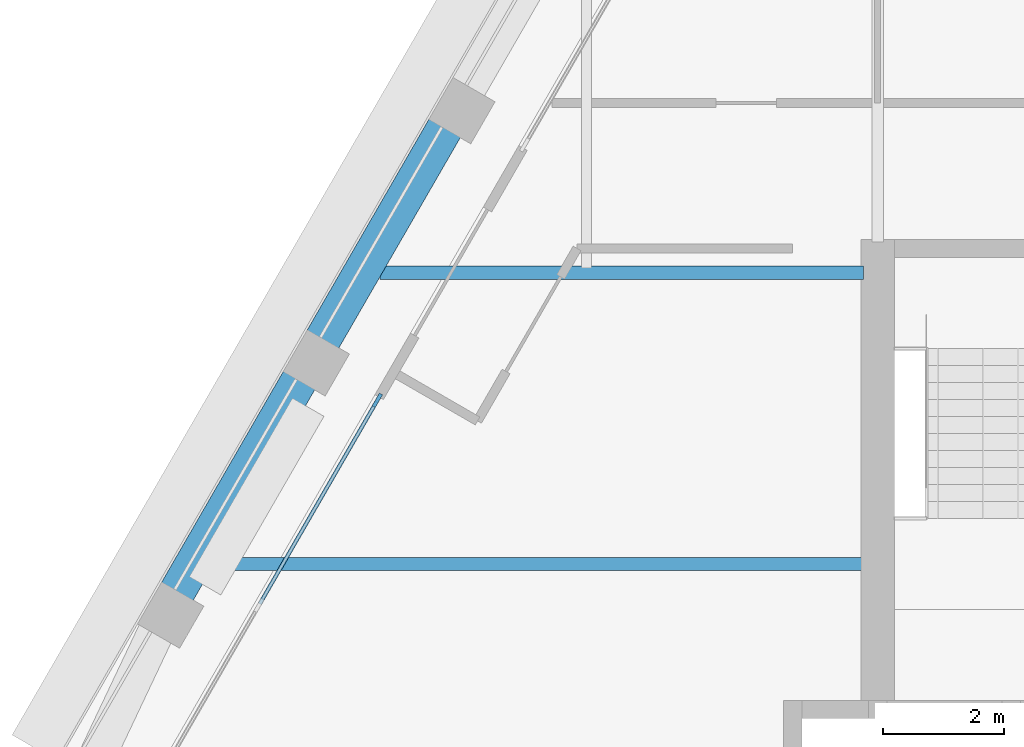
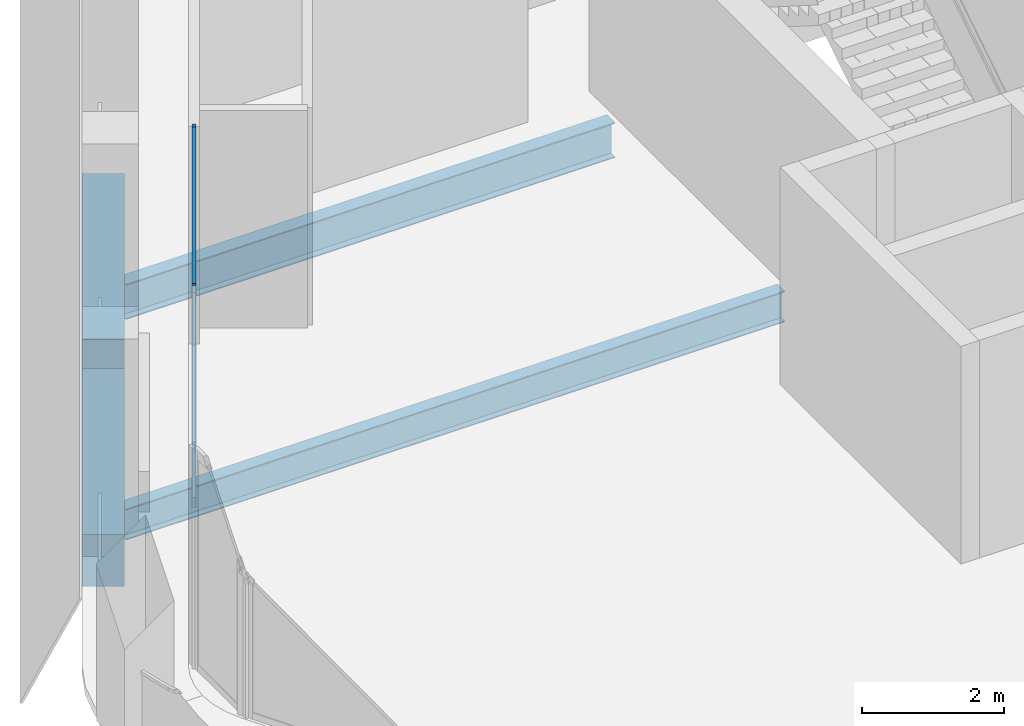
# One storey, part 3 of 13: 4 beams, 3 members, 1 element without a shape of its own.
"""IFC4 building model written with IfcOpenShell, lengths in metres."""

from ifc_helpers import new_model, si_unit, direction, frame, origin, origin_2d, place, context, subcontext, project, spatial, rectangle, i_section, extrude, material, material_profile, profile_set, type_object, element, aggregate, save


model = new_model("IFC4")

# Units and contexts
model_context = context("Model", 3, precision=1e-05, world=origin(), true_north=direction((0.0, 1.0)))
body_context = subcontext(model_context, "Body", "Model", "MODEL_VIEW")
ifc_project = project(units=[si_unit("LENGTHUNIT", "METRE"), si_unit("AREAUNIT", "SQUARE_METRE"), si_unit("VOLUMEUNIT", "CUBIC_METRE"), si_unit("PLANEANGLEUNIT", "RADIAN"), si_unit("MASSUNIT", "GRAM", prefix="KILO")], contexts=[model_context])

# Site, building, storey
site_placement = place(None, origin())
site = spatial("IfcSite", under=ifc_project, at=site_placement, CompositionType="ELEMENT")
building_placement = place(site_placement, origin())
building = spatial("IfcBuilding", under=site, at=building_placement, Name="Kolab Exchange Tower", CompositionType="ELEMENT")
storey_placement = place(building_placement, frame((0.0, 0.0, 257.89990234375)))
storey = spatial("IfcBuildingStorey", under=building, at=storey_placement, Name="L57", CompositionType="ELEMENT", Elevation=257.89990234375)

# Beams
ifc_material_1 = material(Name="Steel S355", Category="steel")
ifc_material_profile_1 = material_profile(ifc_material_1, i_section(OverallWidth=0.208984375, OverallDepth=0.532958984375, WebThickness=0.01025390625, FlangeThickness=0.015625, at=origin_2d()), Name="W530X92")
ifc_profile_set_1 = profile_set([ifc_material_profile_1], Name="Steel S355")
beam_type_1 = type_object("IfcBeamType", Name="FLOOR BEAM W530X92", PredefinedType="BEAM", material=ifc_profile_set_1)
beam_1_placement = place(storey_placement, frame((-20.575927734375, 4.800048828125, -0.41650390625), z_axis=(1.0, 0.0, 0.0), x_axis=(0.0, 1.0, 0.0)))
element("IfcBeam", 1, at=beam_1_placement, inside=storey, type_object=beam_type_1, Name="beam/L57/fr/002", PredefinedType="BEAM", context=body_context, shape_type="SweptSolid", body=[
    extrude(i_section(OverallWidth=0.208984375, OverallDepth=0.532958984375, WebThickness=0.01025390625, FlangeThickness=0.015625, at=origin_2d()), origin(), (0.0, 0.0, 1.0), 10.740966796875),
])
ifc_material_profile_2 = material_profile(ifc_material_1, i_section(OverallWidth=0.22802734375, OverallDepth=0.60791015625, WebThickness=0.01123046875, FlangeThickness=0.017333984375, at=origin_2d()), Name="W610X113")
ifc_profile_set_2 = profile_set([ifc_material_profile_2], Name="Steel S355")
beam_type_2 = type_object("IfcBeamType", Name="FLOOR GIRDER W610X113", PredefinedType="BEAM", material=ifc_profile_set_2)
beam_2_placement = place(storey_placement, frame((-17.8046875, 9.60009765625, -0.453857421875), z_axis=(1.0, 0.0, 0.0), x_axis=(0.0, 1.0, 0.0)))
element("IfcBeam", 2, at=beam_2_placement, inside=storey, type_object=beam_type_2, Name="beam/L57/gd/001", PredefinedType="BEAM", context=body_context, shape_type="SweptSolid", body=[
    extrude(i_section(OverallWidth=0.22802734375, OverallDepth=0.60791015625, WebThickness=0.01123046875, FlangeThickness=0.017333984375, at=origin_2d()), origin(), (0.0, 0.0, 1.0), 7.9697265625),
])
ifc_material_2 = material(Name="Concrete C50/60", Category="concrete")
ifc_material_profile_3 = material_profile(ifc_material_2, rectangle(XDim=0.60009765625, YDim=0.89990234375, at=origin_2d()), Name="RC600X900")
ifc_profile_set_3 = profile_set([ifc_material_profile_3], Name="Concrete C50/60")
beam_type_3 = type_object("IfcBeamType", Name="SPANDREL BEAM 600X900 C50/60", PredefinedType="BEAM", material=ifc_profile_set_3)
for number, where, z_axis, x_axis, name in (
    (3, (-21.16015625, 4.318603515625, -0.599853515625), (0.500000428765, 0.866025156237, 0.0), (-0.866025156237, 0.500000428765, 0.0), "beam/L57/sp/F6-02"),
    (4, (-18.76025390625, 8.4755859375, -0.599853515625), (0.500000428765, 0.866025156237, 0.0), (-0.866025156237, 0.500000428765, 0.0), "beam/L57/sp/F6-03"),
):
    element("IfcBeam", number, at=place(storey_placement, frame(where, z_axis=z_axis, x_axis=x_axis)), inside=storey, type_object=beam_type_3, Name=name, PredefinedType="BEAM", context=body_context, shape_type="SweptSolid", body=[
        extrude(rectangle(XDim=0.60009765625, YDim=0.89990234375, at=origin_2d()), origin(), (0.0, 0.0, 1.0), 4.080078125),
    ])

# Curtain wall, members
ifc_material_3 = material(Name="Aluminium EN AW-6063 T6", Category="aluminium")
curtain_wall_type = type_object("IfcCurtainWallType", Name="UNITISED HIGH ZONE CURTAIN WALL", PredefinedType="NOTDEFINED", material=ifc_material_3)
curtain_wall_placement = place(storey_placement, origin())
curtain_wall = element("IfcCurtainWall", 5, at=curtain_wall_placement, inside=storey, type_object=curtain_wall_type, Name="cw/L57/F6-1", PredefinedType="NOTDEFINED")
ifc_material_profile_4 = material_profile(ifc_material_3, rectangle(XDim=0.06005859375, YDim=0.239990234375, at=origin_2d()), Name="RECT 60X240")
ifc_profile_set_4 = profile_set([ifc_material_profile_4], Name="Aluminium EN AW-6063 T6")
member_type_1 = type_object("IfcMemberType", Name="UNITISED HIGH ZONE MULLION 60 X 240", PredefinedType="MULLION", material=ifc_profile_set_4)
member_1_placement = place(storey_placement, frame((-17.8466796875, 7.497802734375, 0.0), z_axis=(0.0, 0.0, 1.0), x_axis=(-0.866025440524, 0.499999936366, 0.0)))
member_1 = element("IfcMember", 6, at=member_1_placement, type_object=member_type_1, Name="CW4 mullion 3", PredefinedType="MULLION", context=body_context, shape_type="SweptSolid", body=[
    extrude(rectangle(XDim=0.06005859375, YDim=0.239990234375, at=origin_2d()), origin(), (0.0, 0.0, 1.0), 3.75),
])
ifc_material_profile_5 = material_profile(ifc_material_3, rectangle(XDim=0.06005859375, YDim=0.159912109375, at=origin_2d()), Name="RECT 60X160")
ifc_profile_set_5 = profile_set([ifc_material_profile_5], Name="Aluminium EN AW-6063 T6")
member_type_2 = type_object("IfcMemberType", Name="UNITISED HIGH ZONE TRANSOM 60 X 160", PredefinedType="USERDEFINED", material=ifc_profile_set_5)
member_2_placement = place(storey_placement, frame((-19.78369140625, 4.142822265625, 0.030029296875), z_axis=(0.500011990396, 0.866018481016, 0.0), x_axis=(-0.866018481016, 0.500011990396, 0.0)))
member_2 = element("IfcMember", 7, at=member_2_placement, type_object=member_type_2, Name="CW4 transom 2.1", ObjectType="TRANSOM", PredefinedType="USERDEFINED", context=body_context, shape_type="SweptSolid", body=[
    extrude(rectangle(XDim=0.06005859375, YDim=0.159912109375, at=origin_2d()), origin(), (0.0, 0.0, 1.0), 3.84423828125),
])
member_3_placement = place(storey_placement, frame((-19.78369140625, 4.142822265625, 3.72021484375), z_axis=(0.500011990396, 0.866018481016, 0.0), x_axis=(-0.866018481016, 0.500011990396, 0.0)))
member_3 = element("IfcMember", 8, at=member_3_placement, type_object=member_type_2, Name="CW4 transom 2.2", ObjectType="TRANSOM", PredefinedType="USERDEFINED", context=body_context, shape_type="SweptSolid", body=[
    extrude(rectangle(XDim=0.06005859375, YDim=0.159912109375, at=origin_2d()), origin(), (0.0, 0.0, 1.0), 3.84423828125),
])
aggregate(curtain_wall, [member_1, member_2, member_3])

save(model, "model.ifc")
